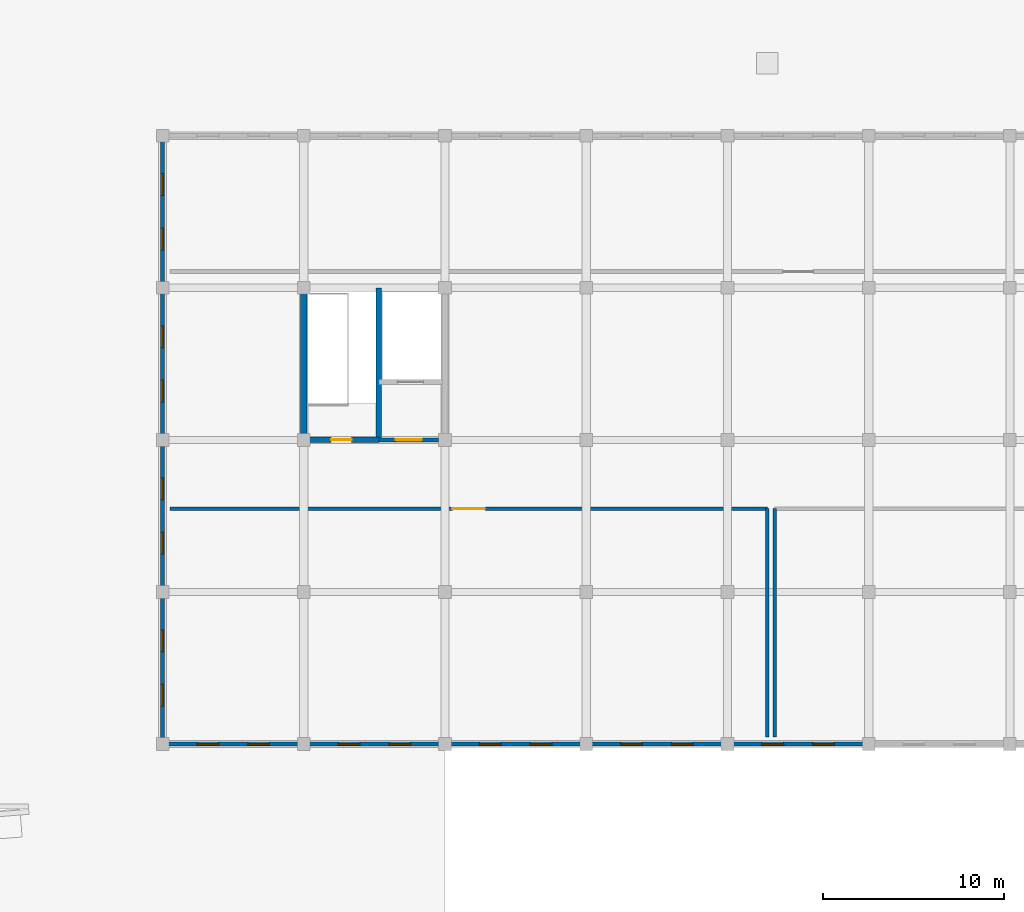
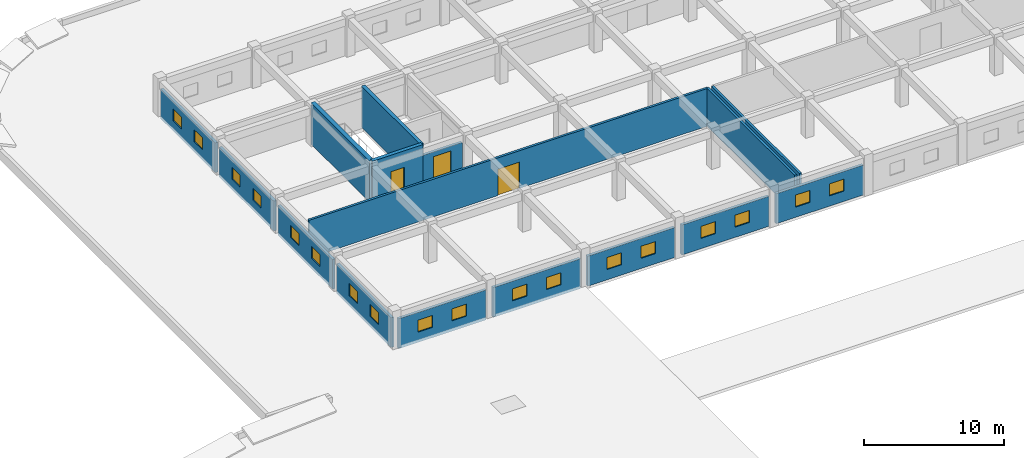
# One storey, part 92 of 101: 18 windows, 16 walls, 3 doors, 21 openings.
"""IFC4 building model written with IfcOpenShell, lengths in metres."""

import ifcopenshell
import ifcopenshell.guid

model = None  # the IFC model being written
_history = None  # IfcOwnerHistory: only IFC2X3 demands one
_inside = {}  # id of a spatial element -> (the spatial element, [elements in it])
_under = {}  # id of a project, library or spatial element -> (it, [spatial elements below it])
_declared = {}  # id of a project -> (the project, [libraries it declares])
_typed = {}  # id of a type object -> (the type object, [elements of that type])
_made_of = {}  # id of a material, layer set ... -> (it, [elements and type objects made of it])


def new_model(schema):
    """Start an empty IFC model of exactly this schema.

    Asked for "IFC4X3", IfcOpenShell would pick the latest addendum, in which some entities
    have other attributes; the version numbers below select the first issue.
    IFC2X3 requires an IfcOwnerHistory on every rooted entity: one is made here for all.
    """
    global model, _history
    if schema == "IFC4X3":
        model = ifcopenshell.file(schema_version=(4, 3, 0, 0))
    else:
        model = ifcopenshell.file(schema=schema)
    _inside.clear()
    _under.clear()
    _declared.clear()
    _typed.clear()
    _made_of.clear()
    _history = None
    if model.schema == "IFC2X3":
        org = make("IfcOrganization", Name="unknown")
        user = make(
            "IfcPersonAndOrganization",
            ThePerson=make("IfcPerson", FamilyName="unknown"),
            TheOrganization=org,
        )
        app = make(
            "IfcApplication",
            ApplicationDeveloper=org,
            Version="unknown",
            ApplicationFullName="unknown",
            ApplicationIdentifier="unknown",
        )
        _history = make(
            "IfcOwnerHistory",
            OwningUser=user,
            OwningApplication=app,
            ChangeAction="ADDED",
            CreationDate=0,
        )
    return model


def make(cls, **values):
    """One entity of the class cls with the attributes given. An attribute that is None is left unset."""
    return model.create_entity(
        cls, **{name: value for name, value in values.items() if value is not None}
    )


def rooted(cls, **values):
    """An entity with a GlobalId (a new one), such as an element, a storey or a relation."""
    return make(cls, GlobalId=ifcopenshell.guid.new(), OwnerHistory=_history, **values)


def si_unit(unit_type, name, prefix=None):
    """IfcSIUnit, for example si_unit("LENGTHUNIT", "METRE", prefix="MILLI")."""
    return make("IfcSIUnit", UnitType=unit_type, Prefix=prefix, Name=name)


def assignment(units):
    """IfcUnitAssignment: the units of a project."""
    return None if units is None else make("IfcUnitAssignment", Units=units)


def point(xyz):
    """IfcCartesianPoint."""
    return None if xyz is None else make("IfcCartesianPoint", Coordinates=xyz)


def direction(xyz):
    """IfcDirection."""
    return None if xyz is None else make("IfcDirection", DirectionRatios=xyz)


def frame(location, z_axis=None, x_axis=None):
    """IfcAxis2Placement3D, a coordinate frame: its origin and axes. An axis left out is left unset."""
    return make(
        "IfcAxis2Placement3D",
        Location=point(location),
        Axis=direction(z_axis),
        RefDirection=direction(x_axis),
    )


def frame_2d(location, x_axis=None):
    """IfcAxis2Placement2D, a coordinate frame in the plane: its origin and x axis."""
    return make(
        "IfcAxis2Placement2D", Location=point(location), RefDirection=direction(x_axis)
    )


def origin():
    """The frame at (0, 0, 0) with its axes left unset."""
    return frame((0.0, 0.0, 0.0))


def place(relative_to, where):
    """IfcLocalPlacement: puts the frame where relative to a parent placement (None: the world)."""
    return make(
        "IfcLocalPlacement", PlacementRelTo=relative_to, RelativePlacement=where
    )


def context(
    kind, dimensions, precision=None, world=None, true_north=None, identifier=None
):
    """IfcGeometricRepresentationContext, for example the 3D "Model" context."""
    return make(
        "IfcGeometricRepresentationContext",
        ContextIdentifier=identifier,
        ContextType=kind,
        CoordinateSpaceDimension=dimensions,
        Precision=precision,
        WorldCoordinateSystem=world,
        TrueNorth=true_north,
    )


def subcontext(parent, identifier, kind, view, scale=None):
    """IfcGeometricRepresentationSubContext, for example "Body" below "Model"."""
    return make(
        "IfcGeometricRepresentationSubContext",
        ContextIdentifier=identifier,
        ContextType=kind,
        ParentContext=parent,
        TargetScale=scale,
        TargetView=view,
    )


def project(units=None, contexts=None):
    """IfcProject with its units and contexts."""
    return rooted(
        "IfcProject",
        Name="project",
        RepresentationContexts=contexts,
        UnitsInContext=assignment(units),
    )


def spatial(cls, under=None, at=None, **own):
    """A site, building, storey or space (cls), placed at a placement, below another one or the project."""
    s = rooted(cls, ObjectPlacement=at, **own)
    if under is not None:
        _under.setdefault(under.id(), (under, []))[1].append(s)
    return s


def profile(cls, at=None, kind="AREA", **sizes):
    """A parametric profile (cls). Its sizes go by their IFC names, for example OverallWidth=200.0."""
    return make(cls, ProfileType=kind, Position=at, **sizes)


def rectangle(**sizes):
    """IfcRectangleProfileDef."""
    return profile("IfcRectangleProfileDef", **sizes)


def extrude(swept, where, along, depth):
    """IfcExtrudedAreaSolid: the profile swept, set in the frame where, extruded along a direction by depth."""
    return make(
        "IfcExtrudedAreaSolid",
        SweptArea=swept,
        Position=where,
        ExtrudedDirection=direction(along),
        Depth=depth,
    )


def shape(context_of_items, identifier, shape_type, items):
    """IfcShapeRepresentation: the items that make up one representation, for example the "Body"."""
    return make(
        "IfcShapeRepresentation",
        ContextOfItems=context_of_items,
        RepresentationIdentifier=identifier,
        RepresentationType=shape_type,
        Items=items,
    )


def material(Name=None, Category=None):
    """IfcMaterial."""
    return make("IfcMaterial", Name=Name, Category=Category)


def layer(
    of_material, thickness, ventilated=None, Name=None, Category=None, Priority=None
):
    """IfcMaterialLayer: one layer of a wall or slab, of a material (None: an air gap)."""
    return make(
        "IfcMaterialLayer",
        Material=of_material,
        LayerThickness=thickness,
        IsVentilated=ventilated,
        Name=Name,
        Category=Category,
        Priority=Priority,
    )


def layer_set(layers, Name=None):
    """IfcMaterialLayerSet."""
    return make("IfcMaterialLayerSet", MaterialLayers=layers, LayerSetName=Name)


def made_of(thing, what):
    """Note that an element or type object is made of a material, layer set ...; save() writes the relation."""
    if what is not None:
        _made_of.setdefault(what.id(), (what, []))[1].append(thing)
    return thing


def type_object(cls, material=None, **own):
    """A type object (cls), such as IfcWallType, which elements share."""
    return made_of(rooted(cls, **own), material)


def element(
    cls,
    number,
    at=None,
    inside=None,
    cuts=None,
    type_object=None,
    material=None,
    context=None,
    identifier="Body",
    shape_type=None,
    held_by="IfcProductDefinitionShape",
    body=None,
    shapes=None,
    **own,
):
    """One element of the class cls, such as IfcWall. Its Tag is "e" and its number.

    at: its placement. inside: the storey or other place that contains it. cuts: it is an
    opening in that element (IfcRelVoidsElement). A single representation is given by context,
    identifier, shape_type and body (its items); several are given by shapes. held_by: the class
    of the entity that holds the representations. save() writes the other relations.
    """
    e = rooted(cls, Tag="e%d" % number, ObjectPlacement=at, **own)
    if body is not None:
        shapes = [shape(context, identifier, shape_type, body)]
    if shapes is not None:
        e.Representation = make(held_by, Representations=shapes)
    if inside is not None:
        _inside.setdefault(inside.id(), (inside, []))[1].append(e)
    if cuts is not None:
        rooted(
            "IfcRelVoidsElement", RelatingBuildingElement=cuts, RelatedOpeningElement=e
        )
    if type_object is not None:
        _typed.setdefault(type_object.id(), (type_object, []))[1].append(e)
    return made_of(e, material)


def fill(opening, filler):
    """IfcRelFillsElement: the door or window that sits in an opening."""
    return rooted(
        "IfcRelFillsElement",
        RelatingOpeningElement=opening,
        RelatedBuildingElement=filler,
    )


def aggregate(whole, parts):
    """IfcRelAggregates: a whole, such as a stair, and the parts it consists of."""
    return rooted("IfcRelAggregates", RelatingObject=whole, RelatedObjects=parts)


def save(model, path):
    """Write the relations noted so far, then the file.

    IfcRelAggregates (storeys below a building ...), IfcRelContainedInSpatialStructure (elements
    in a storey), IfcRelDefinesByType, IfcRelAssociatesMaterial and IfcRelDeclares: one each for
    every whole, place, type object, material and project.
    """
    for whole, parts in _under.values():
        aggregate(whole, parts)
    for where, things in _inside.values():
        rooted(
            "IfcRelContainedInSpatialStructure",
            RelatedElements=things,
            RelatingStructure=where,
        )
    for kind, things in _typed.values():
        rooted("IfcRelDefinesByType", RelatedObjects=things, RelatingType=kind)
    for what, things in _made_of.values():
        rooted("IfcRelAssociatesMaterial", RelatedObjects=things, RelatingMaterial=what)
    for by, libraries in _declared.values():
        rooted("IfcRelDeclares", RelatingContext=by, RelatedDefinitions=libraries)
    model.write(path)


model = new_model("IFC4")

# Units and contexts
model_context = context("Model", 3, precision=1e-05, world=origin(), true_north=direction((0.0, 1.0)))
body_context = subcontext(model_context, "Body", "Model", "MODEL_VIEW")
ifc_project = project(units=[si_unit("LENGTHUNIT", "METRE"), si_unit("AREAUNIT", "SQUARE_METRE"), si_unit("VOLUMEUNIT", "CUBIC_METRE"), si_unit("PLANEANGLEUNIT", "RADIAN"), si_unit("MASSUNIT", "GRAM", prefix="KILO")], contexts=[model_context])

# Site, building, storey
site_placement = place(None, origin())
site = spatial("IfcSite", under=ifc_project, at=site_placement, CompositionType="ELEMENT")
building_placement = place(site_placement, origin())
building = spatial("IfcBuilding", under=site, at=building_placement, Name="Zizhar Promenade General Hospital", CompositionType="ELEMENT")
storey_placement = place(building_placement, frame((0.0, 0.0, 14.39990234375)))
storey = spatial("IfcBuildingStorey", under=building, at=storey_placement, Name="L03", CompositionType="ELEMENT", Elevation=14.39990234375)

# Wall, openings, windows
ifc_material_1 = material(Name="Precast concrete C40/50", Category="concrete")
ifc_layer_1 = layer(ifc_material_1, 0.22509765625)
ifc_layer_set_1 = layer_set([ifc_layer_1], Name="Precast concrete C40/50")
wall_type_1 = type_object("IfcWallType", Name="EW-INT-225", PredefinedType="STANDARD", material=ifc_layer_set_1)
wall_1_placement = place(storey_placement, frame((62.110107421875, 92.39990234375, 0.0), z_axis=(0.0, 0.0, 1.0), x_axis=(-1.0, 0.0, 0.0)))
wall_1 = element("IfcWall", 1, at=wall_1_placement, inside=storey, type_object=wall_type_1, Name="Surgical Interstitial South Wall 7", PredefinedType="STANDARD", context=body_context, shape_type="SweptSolid", body=[
    extrude(rectangle(XDim=7.22021484375, YDim=0.22509765625, at=frame_2d((3.610107421875, 0.0))), origin(), (0.0, 0.0, 1.0), 2.6201171875),
])
opening_1_placement = place(wall_1_placement, frame((1.606689453125, 0.0, 0.89990234375)))
opening_1 = element("IfcOpeningElement", 2, at=opening_1_placement, cuts=wall_1, Name="Opening W-15", PredefinedType="OPENING", context=body_context, shape_type="SweptSolid", body=[
    extrude(rectangle(XDim=1.199951171875, YDim=1.050048828125, at=frame_2d((0.60009765625, 0.52490234375))), frame((0.0, 0.12255859375, 0.0), z_axis=(0.0, -1.0, 0.0), x_axis=(1.0, 0.0, 0.0)), (0.0, 0.0, 1.0), 0.2451171875),
])
opening_2_placement = place(wall_1_placement, frame((4.413330078125, 0.0, 0.89990234375)))
opening_2 = element("IfcOpeningElement", 3, at=opening_2_placement, cuts=wall_1, Name="Opening W-15", PredefinedType="OPENING", context=body_context, shape_type="SweptSolid", body=[
    extrude(rectangle(XDim=1.199951171875, YDim=1.050048828125, at=frame_2d((0.60009765625, 0.52490234375))), frame((0.0, 0.12255859375, 0.0), z_axis=(0.0, -1.0, 0.0), x_axis=(1.0, 0.0, 0.0)), (0.0, 0.0, 1.0), 0.2451171875),
])
ifc_material_2 = material(Name="Anodised aluminium 6063-T6 and low-E glass", Category="aluminium")
window_type = type_object("IfcWindowType", Name="WIN-INT-120x105", PartitioningType="SINGLE_PANEL", PredefinedType="WINDOW", material=ifc_material_2)
window_1_placement = place(opening_1_placement, origin())
window_1 = element("IfcWindow", 4, at=window_1_placement, inside=storey, type_object=window_type, Name="Surgical Interstitial South Wall 7 Window 1", OverallHeight=1.050048828125, OverallWidth=1.199951171875, PartitioningType="SINGLE_PANEL", PredefinedType="WINDOW", context=body_context, shape_type="SweptSolid", body=[
    extrude(rectangle(XDim=1.199951171875, YDim=1.050048828125, at=frame_2d((0.60009765625, 0.52490234375))), frame((0.0, 0.030029296875, 0.0), z_axis=(0.0, -1.0, 0.0), x_axis=(1.0, 0.0, 0.0)), (0.0, 0.0, 1.0), 0.06005859375),
])
fill(opening_1, window_1)
window_2_placement = place(opening_2_placement, origin())
window_2 = element("IfcWindow", 5, at=window_2_placement, inside=storey, type_object=window_type, Name="Surgical Interstitial South Wall 7 Window 2", OverallHeight=1.050048828125, OverallWidth=1.199951171875, PartitioningType="SINGLE_PANEL", PredefinedType="WINDOW", context=body_context, shape_type="SweptSolid", body=[
    extrude(rectangle(XDim=1.199951171875, YDim=1.050048828125, at=frame_2d((0.60009765625, 0.52490234375))), frame((0.0, 0.030029296875, 0.0), z_axis=(0.0, -1.0, 0.0), x_axis=(1.0, 0.0, 0.0)), (0.0, 0.0, 1.0), 0.06005859375),
])
fill(opening_2, window_2)

wall_2_placement = place(storey_placement, frame((69.909912109375, 92.39990234375, 0.0), z_axis=(0.0, 0.0, 1.0), x_axis=(-1.0, 0.0, 0.0)))
wall_2 = element("IfcWall", 6, at=wall_2_placement, inside=storey, type_object=wall_type_1, Name="Surgical Interstitial South Wall 8", PredefinedType="STANDARD", context=body_context, shape_type="SweptSolid", body=[
    extrude(rectangle(XDim=7.219970703125, YDim=0.22509765625, at=frame_2d((3.60986328125, 0.0))), origin(), (0.0, 0.0, 1.0), 2.6201171875),
])
opening_3_placement = place(wall_2_placement, frame((1.606689453125, 0.0, 0.89990234375)))
opening_3 = element("IfcOpeningElement", 7, at=opening_3_placement, cuts=wall_2, Name="Opening W-15", PredefinedType="OPENING", context=body_context, shape_type="SweptSolid", body=[
    extrude(rectangle(XDim=1.199951171875, YDim=1.050048828125, at=frame_2d((0.60009765625, 0.52490234375))), frame((0.0, 0.12255859375, 0.0), z_axis=(0.0, -1.0, 0.0), x_axis=(1.0, 0.0, 0.0)), (0.0, 0.0, 1.0), 0.2451171875),
])
opening_4_placement = place(wall_2_placement, frame((4.413330078125, 0.0, 0.89990234375)))
opening_4 = element("IfcOpeningElement", 8, at=opening_4_placement, cuts=wall_2, Name="Opening W-15", PredefinedType="OPENING", context=body_context, shape_type="SweptSolid", body=[
    extrude(rectangle(XDim=1.199951171875, YDim=1.050048828125, at=frame_2d((0.60009765625, 0.52490234375))), frame((0.0, 0.12255859375, 0.0), z_axis=(0.0, -1.0, 0.0), x_axis=(1.0, 0.0, 0.0)), (0.0, 0.0, 1.0), 0.2451171875),
])
window_3_placement = place(opening_3_placement, origin())
window_3 = element("IfcWindow", 9, at=window_3_placement, inside=storey, type_object=window_type, Name="Surgical Interstitial South Wall 8 Window 1", OverallHeight=1.050048828125, OverallWidth=1.199951171875, PartitioningType="SINGLE_PANEL", PredefinedType="WINDOW", context=body_context, shape_type="SweptSolid", body=[
    extrude(rectangle(XDim=1.199951171875, YDim=1.050048828125, at=frame_2d((0.60009765625, 0.52490234375))), frame((0.0, 0.030029296875, 0.0), z_axis=(0.0, -1.0, 0.0), x_axis=(1.0, 0.0, 0.0)), (0.0, 0.0, 1.0), 0.06005859375),
])
fill(opening_3, window_3)
window_4_placement = place(opening_4_placement, origin())
window_4 = element("IfcWindow", 10, at=window_4_placement, inside=storey, type_object=window_type, Name="Surgical Interstitial South Wall 8 Window 2", OverallHeight=1.050048828125, OverallWidth=1.199951171875, PartitioningType="SINGLE_PANEL", PredefinedType="WINDOW", context=body_context, shape_type="SweptSolid", body=[
    extrude(rectangle(XDim=1.199951171875, YDim=1.050048828125, at=frame_2d((0.60009765625, 0.52490234375))), frame((0.0, 0.030029296875, 0.0), z_axis=(0.0, -1.0, 0.0), x_axis=(1.0, 0.0, 0.0)), (0.0, 0.0, 1.0), 0.06005859375),
])
fill(opening_4, window_4)

wall_3_placement = place(storey_placement, frame((77.7099609375, 92.39990234375, 0.0), z_axis=(0.0, 0.0, 1.0), x_axis=(-1.0, 0.0, 0.0)))
wall_3 = element("IfcWall", 11, at=wall_3_placement, inside=storey, type_object=wall_type_1, Name="Surgical Interstitial South Wall 9", PredefinedType="STANDARD", context=body_context, shape_type="SweptSolid", body=[
    extrude(rectangle(XDim=7.219970703125, YDim=0.22509765625, at=frame_2d((3.60986328125, 0.0))), origin(), (0.0, 0.0, 1.0), 2.6201171875),
])
opening_5_placement = place(wall_3_placement, frame((1.606689453125, 0.0, 0.89990234375)))
opening_5 = element("IfcOpeningElement", 12, at=opening_5_placement, cuts=wall_3, Name="Opening W-15", PredefinedType="OPENING", context=body_context, shape_type="SweptSolid", body=[
    extrude(rectangle(XDim=1.199951171875, YDim=1.050048828125, at=frame_2d((0.60009765625, 0.52490234375))), frame((0.0, 0.12255859375, 0.0), z_axis=(0.0, -1.0, 0.0), x_axis=(1.0, 0.0, 0.0)), (0.0, 0.0, 1.0), 0.2451171875),
])
opening_6_placement = place(wall_3_placement, frame((4.413330078125, 0.0, 0.89990234375)))
opening_6 = element("IfcOpeningElement", 13, at=opening_6_placement, cuts=wall_3, Name="Opening W-15", PredefinedType="OPENING", context=body_context, shape_type="SweptSolid", body=[
    extrude(rectangle(XDim=1.199951171875, YDim=1.050048828125, at=frame_2d((0.60009765625, 0.52490234375))), frame((0.0, 0.12255859375, 0.0), z_axis=(0.0, -1.0, 0.0), x_axis=(1.0, 0.0, 0.0)), (0.0, 0.0, 1.0), 0.2451171875),
])
window_5_placement = place(opening_5_placement, origin())
window_5 = element("IfcWindow", 14, at=window_5_placement, inside=storey, type_object=window_type, Name="Surgical Interstitial South Wall 9 Window 1", OverallHeight=1.050048828125, OverallWidth=1.199951171875, PartitioningType="SINGLE_PANEL", PredefinedType="WINDOW", context=body_context, shape_type="SweptSolid", body=[
    extrude(rectangle(XDim=1.199951171875, YDim=1.050048828125, at=frame_2d((0.60009765625, 0.52490234375))), frame((0.0, 0.030029296875, 0.0), z_axis=(0.0, -1.0, 0.0), x_axis=(1.0, 0.0, 0.0)), (0.0, 0.0, 1.0), 0.06005859375),
])
fill(opening_5, window_5)
window_6_placement = place(opening_6_placement, origin())
window_6 = element("IfcWindow", 15, at=window_6_placement, inside=storey, type_object=window_type, Name="Surgical Interstitial South Wall 9 Window 2", OverallHeight=1.050048828125, OverallWidth=1.199951171875, PartitioningType="SINGLE_PANEL", PredefinedType="WINDOW", context=body_context, shape_type="SweptSolid", body=[
    extrude(rectangle(XDim=1.199951171875, YDim=1.050048828125, at=frame_2d((0.60009765625, 0.52490234375))), frame((0.0, 0.030029296875, 0.0), z_axis=(0.0, -1.0, 0.0), x_axis=(1.0, 0.0, 0.0)), (0.0, 0.0, 1.0), 0.06005859375),
])
fill(opening_6, window_6)

wall_4_placement = place(storey_placement, frame((85.510009765625, 92.39990234375, 0.0), z_axis=(0.0, 0.0, 1.0), x_axis=(-1.0, 0.0, 0.0)))
wall_4 = element("IfcWall", 16, at=wall_4_placement, inside=storey, type_object=wall_type_1, Name="Surgical Interstitial South Wall 10", PredefinedType="STANDARD", context=body_context, shape_type="SweptSolid", body=[
    extrude(rectangle(XDim=7.219970703125, YDim=0.22509765625, at=frame_2d((3.60986328125, 0.0))), origin(), (0.0, 0.0, 1.0), 2.6201171875),
])
opening_7_placement = place(wall_4_placement, frame((1.606689453125, 0.0, 0.89990234375)))
opening_7 = element("IfcOpeningElement", 17, at=opening_7_placement, cuts=wall_4, Name="Opening W-15", PredefinedType="OPENING", context=body_context, shape_type="SweptSolid", body=[
    extrude(rectangle(XDim=1.199951171875, YDim=1.050048828125, at=frame_2d((0.60009765625, 0.52490234375))), frame((0.0, 0.12255859375, 0.0), z_axis=(0.0, -1.0, 0.0), x_axis=(1.0, 0.0, 0.0)), (0.0, 0.0, 1.0), 0.2451171875),
])
opening_8_placement = place(wall_4_placement, frame((4.413330078125, 0.0, 0.89990234375)))
opening_8 = element("IfcOpeningElement", 18, at=opening_8_placement, cuts=wall_4, Name="Opening W-15", PredefinedType="OPENING", context=body_context, shape_type="SweptSolid", body=[
    extrude(rectangle(XDim=1.199951171875, YDim=1.050048828125, at=frame_2d((0.60009765625, 0.52490234375))), frame((0.0, 0.12255859375, 0.0), z_axis=(0.0, -1.0, 0.0), x_axis=(1.0, 0.0, 0.0)), (0.0, 0.0, 1.0), 0.2451171875),
])
window_7_placement = place(opening_7_placement, origin())
window_7 = element("IfcWindow", 19, at=window_7_placement, inside=storey, type_object=window_type, Name="Surgical Interstitial South Wall 10 Window 1", OverallHeight=1.050048828125, OverallWidth=1.199951171875, PartitioningType="SINGLE_PANEL", PredefinedType="WINDOW", context=body_context, shape_type="SweptSolid", body=[
    extrude(rectangle(XDim=1.199951171875, YDim=1.050048828125, at=frame_2d((0.60009765625, 0.52490234375))), frame((0.0, 0.030029296875, 0.0), z_axis=(0.0, -1.0, 0.0), x_axis=(1.0, 0.0, 0.0)), (0.0, 0.0, 1.0), 0.06005859375),
])
fill(opening_7, window_7)
window_8_placement = place(opening_8_placement, origin())
window_8 = element("IfcWindow", 20, at=window_8_placement, inside=storey, type_object=window_type, Name="Surgical Interstitial South Wall 10 Window 2", OverallHeight=1.050048828125, OverallWidth=1.199951171875, PartitioningType="SINGLE_PANEL", PredefinedType="WINDOW", context=body_context, shape_type="SweptSolid", body=[
    extrude(rectangle(XDim=1.199951171875, YDim=1.050048828125, at=frame_2d((0.60009765625, 0.52490234375))), frame((0.0, 0.030029296875, 0.0), z_axis=(0.0, -1.0, 0.0), x_axis=(1.0, 0.0, 0.0)), (0.0, 0.0, 1.0), 0.06005859375),
])
fill(opening_8, window_8)

wall_5_placement = place(storey_placement, frame((93.31005859375, 92.39990234375, 0.0), z_axis=(0.0, 0.0, 1.0), x_axis=(-1.0, 0.0, 0.0)))
wall_5 = element("IfcWall", 21, at=wall_5_placement, inside=storey, type_object=wall_type_1, Name="Surgical Interstitial South Wall 11", PredefinedType="STANDARD", context=body_context, shape_type="SweptSolid", body=[
    extrude(rectangle(XDim=7.219970703125, YDim=0.22509765625, at=frame_2d((3.60986328125, 0.0))), origin(), (0.0, 0.0, 1.0), 2.6201171875),
])
opening_9_placement = place(wall_5_placement, frame((1.606689453125, 0.0, 0.89990234375)))
opening_9 = element("IfcOpeningElement", 22, at=opening_9_placement, cuts=wall_5, Name="Opening W-15", PredefinedType="OPENING", context=body_context, shape_type="SweptSolid", body=[
    extrude(rectangle(XDim=1.199951171875, YDim=1.050048828125, at=frame_2d((0.60009765625, 0.52490234375))), frame((0.0, 0.12255859375, 0.0), z_axis=(0.0, -1.0, 0.0), x_axis=(1.0, 0.0, 0.0)), (0.0, 0.0, 1.0), 0.2451171875),
])
opening_10_placement = place(wall_5_placement, frame((4.413330078125, 0.0, 0.89990234375)))
opening_10 = element("IfcOpeningElement", 23, at=opening_10_placement, cuts=wall_5, Name="Opening W-15", PredefinedType="OPENING", context=body_context, shape_type="SweptSolid", body=[
    extrude(rectangle(XDim=1.199951171875, YDim=1.050048828125, at=frame_2d((0.60009765625, 0.52490234375))), frame((0.0, 0.12255859375, 0.0), z_axis=(0.0, -1.0, 0.0), x_axis=(1.0, 0.0, 0.0)), (0.0, 0.0, 1.0), 0.2451171875),
])
window_9_placement = place(opening_9_placement, origin())
window_9 = element("IfcWindow", 24, at=window_9_placement, inside=storey, type_object=window_type, Name="Surgical Interstitial South Wall 11 Window 1", OverallHeight=1.050048828125, OverallWidth=1.199951171875, PartitioningType="SINGLE_PANEL", PredefinedType="WINDOW", context=body_context, shape_type="SweptSolid", body=[
    extrude(rectangle(XDim=1.199951171875, YDim=1.050048828125, at=frame_2d((0.60009765625, 0.52490234375))), frame((0.0, 0.030029296875, 0.0), z_axis=(0.0, -1.0, 0.0), x_axis=(1.0, 0.0, 0.0)), (0.0, 0.0, 1.0), 0.06005859375),
])
fill(opening_9, window_9)
window_10_placement = place(opening_10_placement, origin())
window_10 = element("IfcWindow", 25, at=window_10_placement, inside=storey, type_object=window_type, Name="Surgical Interstitial South Wall 11 Window 2", OverallHeight=1.050048828125, OverallWidth=1.199951171875, PartitioningType="SINGLE_PANEL", PredefinedType="WINDOW", context=body_context, shape_type="SweptSolid", body=[
    extrude(rectangle(XDim=1.199951171875, YDim=1.050048828125, at=frame_2d((0.60009765625, 0.52490234375))), frame((0.0, 0.030029296875, 0.0), z_axis=(0.0, -1.0, 0.0), x_axis=(1.0, 0.0, 0.0)), (0.0, 0.0, 1.0), 0.06005859375),
])
fill(opening_10, window_10)

wall_6_placement = place(storey_placement, frame((54.60009765625, 92.68994140625, 0.0), z_axis=(0.0, 0.0, 1.0), x_axis=(0.0, 1.0, 0.0)))
wall_6 = element("IfcWall", 26, at=wall_6_placement, inside=storey, type_object=wall_type_1, Name="Surgical Interstitial West Wall 11", PredefinedType="STANDARD", context=body_context, shape_type="SweptSolid", body=[
    extrude(rectangle(XDim=7.820068359375, YDim=0.22509765625, at=frame_2d((3.91015625, 0.0))), origin(), (0.0, 0.0, 1.0), 2.60498046875),
])
opening_11_placement = place(wall_6_placement, frame((1.806640625, 0.0, 0.89990234375)))
opening_11 = element("IfcOpeningElement", 27, at=opening_11_placement, cuts=wall_6, Name="Opening W-15", PredefinedType="OPENING", context=body_context, shape_type="SweptSolid", body=[
    extrude(rectangle(XDim=1.199951171875, YDim=1.050048828125, at=frame_2d((0.60009765625, 0.52490234375))), frame((0.0, 0.12255859375, 0.0), z_axis=(0.0, -1.0, 0.0), x_axis=(1.0, 0.0, 0.0)), (0.0, 0.0, 1.0), 0.2451171875),
])
opening_12_placement = place(wall_6_placement, frame((4.813232421875, 0.0, 0.89990234375)))
opening_12 = element("IfcOpeningElement", 28, at=opening_12_placement, cuts=wall_6, Name="Opening W-15", PredefinedType="OPENING", context=body_context, shape_type="SweptSolid", body=[
    extrude(rectangle(XDim=1.199951171875, YDim=1.050048828125, at=frame_2d((0.60009765625, 0.52490234375))), frame((0.0, 0.12255859375, 0.0), z_axis=(0.0, -1.0, 0.0), x_axis=(1.0, 0.0, 0.0)), (0.0, 0.0, 1.0), 0.2451171875),
])
window_11_placement = place(opening_11_placement, origin())
window_11 = element("IfcWindow", 29, at=window_11_placement, inside=storey, type_object=window_type, Name="Surgical Interstitial West Wall 11 Window 1", OverallHeight=1.050048828125, OverallWidth=1.199951171875, PartitioningType="SINGLE_PANEL", PredefinedType="WINDOW", context=body_context, shape_type="SweptSolid", body=[
    extrude(rectangle(XDim=1.199951171875, YDim=1.050048828125, at=frame_2d((0.60009765625, 0.52490234375))), frame((0.0, 0.030029296875, 0.0), z_axis=(0.0, -1.0, 0.0), x_axis=(1.0, 0.0, 0.0)), (0.0, 0.0, 1.0), 0.06005859375),
])
fill(opening_11, window_11)
window_12_placement = place(opening_12_placement, origin())
window_12 = element("IfcWindow", 30, at=window_12_placement, inside=storey, type_object=window_type, Name="Surgical Interstitial West Wall 11 Window 2", OverallHeight=1.050048828125, OverallWidth=1.199951171875, PartitioningType="SINGLE_PANEL", PredefinedType="WINDOW", context=body_context, shape_type="SweptSolid", body=[
    extrude(rectangle(XDim=1.199951171875, YDim=1.050048828125, at=frame_2d((0.60009765625, 0.52490234375))), frame((0.0, 0.030029296875, 0.0), z_axis=(0.0, -1.0, 0.0), x_axis=(1.0, 0.0, 0.0)), (0.0, 0.0, 1.0), 0.06005859375),
])
fill(opening_12, window_12)

wall_7_placement = place(storey_placement, frame((54.60009765625, 101.090087890625, 0.0), z_axis=(0.0, 0.0, 1.0), x_axis=(0.0, 1.0, 0.0)))
wall_7 = element("IfcWall", 31, at=wall_7_placement, inside=storey, type_object=wall_type_1, Name="Surgical Interstitial West Wall 12", PredefinedType="STANDARD", context=body_context, shape_type="SweptSolid", body=[
    extrude(rectangle(XDim=7.81982421875, YDim=0.22509765625, at=frame_2d((3.909912109375, 0.0))), origin(), (0.0, 0.0, 1.0), 2.60498046875),
])
opening_13_placement = place(wall_7_placement, frame((1.806640625, 0.0, 0.89990234375)))
opening_13 = element("IfcOpeningElement", 32, at=opening_13_placement, cuts=wall_7, Name="Opening W-15", PredefinedType="OPENING", context=body_context, shape_type="SweptSolid", body=[
    extrude(rectangle(XDim=1.199951171875, YDim=1.050048828125, at=frame_2d((0.60009765625, 0.52490234375))), frame((0.0, 0.12255859375, 0.0), z_axis=(0.0, -1.0, 0.0), x_axis=(1.0, 0.0, 0.0)), (0.0, 0.0, 1.0), 0.2451171875),
])
opening_14_placement = place(wall_7_placement, frame((4.813232421875, 0.0, 0.89990234375)))
opening_14 = element("IfcOpeningElement", 33, at=opening_14_placement, cuts=wall_7, Name="Opening W-15", PredefinedType="OPENING", context=body_context, shape_type="SweptSolid", body=[
    extrude(rectangle(XDim=1.199951171875, YDim=1.050048828125, at=frame_2d((0.60009765625, 0.52490234375))), frame((0.0, 0.12255859375, 0.0), z_axis=(0.0, -1.0, 0.0), x_axis=(1.0, 0.0, 0.0)), (0.0, 0.0, 1.0), 0.2451171875),
])
window_13_placement = place(opening_13_placement, origin())
window_13 = element("IfcWindow", 34, at=window_13_placement, inside=storey, type_object=window_type, Name="Surgical Interstitial West Wall 12 Window 1", OverallHeight=1.050048828125, OverallWidth=1.199951171875, PartitioningType="SINGLE_PANEL", PredefinedType="WINDOW", context=body_context, shape_type="SweptSolid", body=[
    extrude(rectangle(XDim=1.199951171875, YDim=1.050048828125, at=frame_2d((0.60009765625, 0.52490234375))), frame((0.0, 0.030029296875, 0.0), z_axis=(0.0, -1.0, 0.0), x_axis=(1.0, 0.0, 0.0)), (0.0, 0.0, 1.0), 0.06005859375),
])
fill(opening_13, window_13)
window_14_placement = place(opening_14_placement, origin())
window_14 = element("IfcWindow", 35, at=window_14_placement, inside=storey, type_object=window_type, Name="Surgical Interstitial West Wall 12 Window 2", OverallHeight=1.050048828125, OverallWidth=1.199951171875, PartitioningType="SINGLE_PANEL", PredefinedType="WINDOW", context=body_context, shape_type="SweptSolid", body=[
    extrude(rectangle(XDim=1.199951171875, YDim=1.050048828125, at=frame_2d((0.60009765625, 0.52490234375))), frame((0.0, 0.030029296875, 0.0), z_axis=(0.0, -1.0, 0.0), x_axis=(1.0, 0.0, 0.0)), (0.0, 0.0, 1.0), 0.06005859375),
])
fill(opening_14, window_14)

wall_8_placement = place(storey_placement, frame((54.60009765625, 109.489990234375, 0.0), z_axis=(0.0, 0.0, 1.0), x_axis=(0.0, 1.0, 0.0)))
wall_8 = element("IfcWall", 36, at=wall_8_placement, inside=storey, type_object=wall_type_1, Name="Surgical Interstitial West Wall 13", PredefinedType="STANDARD", context=body_context, shape_type="SweptSolid", body=[
    extrude(rectangle(XDim=7.820068359375, YDim=0.22509765625, at=frame_2d((3.91015625, 0.0))), origin(), (0.0, 0.0, 1.0), 2.60498046875),
])
opening_15_placement = place(wall_8_placement, frame((1.806640625, 0.0, 0.89990234375)))
opening_15 = element("IfcOpeningElement", 37, at=opening_15_placement, cuts=wall_8, Name="Opening W-15", PredefinedType="OPENING", context=body_context, shape_type="SweptSolid", body=[
    extrude(rectangle(XDim=1.199951171875, YDim=1.050048828125, at=frame_2d((0.60009765625, 0.52490234375))), frame((0.0, 0.12255859375, 0.0), z_axis=(0.0, -1.0, 0.0), x_axis=(1.0, 0.0, 0.0)), (0.0, 0.0, 1.0), 0.2451171875),
])
opening_16_placement = place(wall_8_placement, frame((4.813232421875, 0.0, 0.89990234375)))
opening_16 = element("IfcOpeningElement", 38, at=opening_16_placement, cuts=wall_8, Name="Opening W-15", PredefinedType="OPENING", context=body_context, shape_type="SweptSolid", body=[
    extrude(rectangle(XDim=1.199951171875, YDim=1.050048828125, at=frame_2d((0.60009765625, 0.52490234375))), frame((0.0, 0.12255859375, 0.0), z_axis=(0.0, -1.0, 0.0), x_axis=(1.0, 0.0, 0.0)), (0.0, 0.0, 1.0), 0.2451171875),
])
window_15_placement = place(opening_15_placement, origin())
window_15 = element("IfcWindow", 39, at=window_15_placement, inside=storey, type_object=window_type, Name="Surgical Interstitial West Wall 13 Window 1", OverallHeight=1.050048828125, OverallWidth=1.199951171875, PartitioningType="SINGLE_PANEL", PredefinedType="WINDOW", context=body_context, shape_type="SweptSolid", body=[
    extrude(rectangle(XDim=1.199951171875, YDim=1.050048828125, at=frame_2d((0.60009765625, 0.52490234375))), frame((0.0, 0.030029296875, 0.0), z_axis=(0.0, -1.0, 0.0), x_axis=(1.0, 0.0, 0.0)), (0.0, 0.0, 1.0), 0.06005859375),
])
fill(opening_15, window_15)
window_16_placement = place(opening_16_placement, origin())
window_16 = element("IfcWindow", 40, at=window_16_placement, inside=storey, type_object=window_type, Name="Surgical Interstitial West Wall 13 Window 2", OverallHeight=1.050048828125, OverallWidth=1.199951171875, PartitioningType="SINGLE_PANEL", PredefinedType="WINDOW", context=body_context, shape_type="SweptSolid", body=[
    extrude(rectangle(XDim=1.199951171875, YDim=1.050048828125, at=frame_2d((0.60009765625, 0.52490234375))), frame((0.0, 0.030029296875, 0.0), z_axis=(0.0, -1.0, 0.0), x_axis=(1.0, 0.0, 0.0)), (0.0, 0.0, 1.0), 0.06005859375),
])
fill(opening_16, window_16)

wall_9_placement = place(storey_placement, frame((54.60009765625, 117.889892578125, 0.0), z_axis=(0.0, 0.0, 1.0), x_axis=(0.0, 1.0, 0.0)))
wall_9 = element("IfcWall", 41, at=wall_9_placement, inside=storey, type_object=wall_type_1, Name="Surgical Interstitial West Wall 14", PredefinedType="STANDARD", context=body_context, shape_type="SweptSolid", body=[
    extrude(rectangle(XDim=7.820068359375, YDim=0.22509765625, at=frame_2d((3.91015625, 0.0))), origin(), (0.0, 0.0, 1.0), 2.60498046875),
])
opening_17_placement = place(wall_9_placement, frame((1.806640625, 0.0, 0.89990234375)))
opening_17 = element("IfcOpeningElement", 42, at=opening_17_placement, cuts=wall_9, Name="Opening W-15", PredefinedType="OPENING", context=body_context, shape_type="SweptSolid", body=[
    extrude(rectangle(XDim=1.199951171875, YDim=1.050048828125, at=frame_2d((0.60009765625, 0.52490234375))), frame((0.0, 0.12255859375, 0.0), z_axis=(0.0, -1.0, 0.0), x_axis=(1.0, 0.0, 0.0)), (0.0, 0.0, 1.0), 0.2451171875),
])
opening_18_placement = place(wall_9_placement, frame((4.813232421875, 0.0, 0.89990234375)))
opening_18 = element("IfcOpeningElement", 43, at=opening_18_placement, cuts=wall_9, Name="Opening W-15", PredefinedType="OPENING", context=body_context, shape_type="SweptSolid", body=[
    extrude(rectangle(XDim=1.199951171875, YDim=1.050048828125, at=frame_2d((0.60009765625, 0.52490234375))), frame((0.0, 0.12255859375, 0.0), z_axis=(0.0, -1.0, 0.0), x_axis=(1.0, 0.0, 0.0)), (0.0, 0.0, 1.0), 0.2451171875),
])
window_17_placement = place(opening_17_placement, origin())
window_17 = element("IfcWindow", 44, at=window_17_placement, inside=storey, type_object=window_type, Name="Surgical Interstitial West Wall 14 Window 1", OverallHeight=1.050048828125, OverallWidth=1.199951171875, PartitioningType="SINGLE_PANEL", PredefinedType="WINDOW", context=body_context, shape_type="SweptSolid", body=[
    extrude(rectangle(XDim=1.199951171875, YDim=1.050048828125, at=frame_2d((0.60009765625, 0.52490234375))), frame((0.0, 0.030029296875, 0.0), z_axis=(0.0, -1.0, 0.0), x_axis=(1.0, 0.0, 0.0)), (0.0, 0.0, 1.0), 0.06005859375),
])
fill(opening_17, window_17)
window_18_placement = place(opening_18_placement, origin())
window_18 = element("IfcWindow", 45, at=window_18_placement, inside=storey, type_object=window_type, Name="Surgical Interstitial West Wall 14 Window 2", OverallHeight=1.050048828125, OverallWidth=1.199951171875, PartitioningType="SINGLE_PANEL", PredefinedType="WINDOW", context=body_context, shape_type="SweptSolid", body=[
    extrude(rectangle(XDim=1.199951171875, YDim=1.050048828125, at=frame_2d((0.60009765625, 0.52490234375))), frame((0.0, 0.030029296875, 0.0), z_axis=(0.0, -1.0, 0.0), x_axis=(1.0, 0.0, 0.0)), (0.0, 0.0, 1.0), 0.06005859375),
])
fill(opening_18, window_18)

# Wall, opening, door
ifc_material_3 = material(Name="Concrete C35/45", Category="concrete")
ifc_layer_2 = layer(ifc_material_3, 0.215087890625)
ifc_layer_set_2 = layer_set([ifc_layer_2], Name="Concrete C35/45")
wall_type_2 = type_object("IfcWallType", Name="IW-LOBBY-215", PredefinedType="STANDARD", material=ifc_layer_set_2)
wall_10_placement = place(storey_placement, frame((66.550048828125, 109.199951171875, 0.0), z_axis=(0.0, 0.0, 1.0), x_axis=(1.0, 0.0, 0.0)))
wall_10 = element("IfcWall", 46, at=wall_10_placement, inside=storey, type_object=wall_type_2, Name="Core C6 Lift Lobby South Fire Wall (L03)", PredefinedType="STANDARD", context=body_context, shape_type="SweptSolid", body=[
    extrude(rectangle(XDim=3.2900390625, YDim=0.215087890625, at=frame_2d((1.64501953125, 0.0))), origin(), (0.0, 0.0, 1.0), 2.6201171875),
])
opening_19_placement = place(wall_10_placement, frame((0.925048828125, 0.0, 0.0)))
opening_19 = element("IfcOpeningElement", 47, at=opening_19_placement, cuts=wall_10, Name="Opening D-23", PredefinedType="OPENING", context=body_context, shape_type="SweptSolid", body=[
    extrude(rectangle(XDim=1.43994140625, YDim=2.199951171875, at=frame_2d((0.719970703125, 1.10009765625))), frame((0.0, 0.11767578125, 0.0), z_axis=(0.0, -1.0, 0.0), x_axis=(1.0, 0.0, 0.0)), (0.0, 0.0, 1.0), 0.235107421875),
])
ifc_material_4 = material(Name="Fire-rated timber lift lobby pair", Category="wood")
door_type_1 = type_object("IfcDoorType", Name="DR-LOBBY-PR-144x220", OperationType="DOUBLE_DOOR_SINGLE_SWING", PredefinedType="DOOR", material=ifc_material_4)
door_1_placement = place(opening_19_placement, origin())
door_1 = element("IfcDoor", 48, at=door_1_placement, inside=storey, type_object=door_type_1, Name="Core C6 Protected Lift Lobby Door (L03)", OperationType="DOUBLE_DOOR_SINGLE_SWING", OverallHeight=2.199951171875, OverallWidth=1.43994140625, PredefinedType="DOOR", context=body_context, shape_type="SweptSolid", body=[
    extrude(rectangle(XDim=1.43994140625, YDim=2.199951171875, at=frame_2d((0.719970703125, 1.10009765625))), frame((0.0, 0.02490234375, 0.0), z_axis=(0.0, -1.0, 0.0), x_axis=(1.0, 0.0, 0.0)), (0.0, 0.0, 1.0), 0.050048828125),
])
fill(opening_19, door_1)

ifc_material_5 = material(Name="Hygienic cleanroom aluminium-faced gypsum partition", Category="aluminium")
ifc_layer_3 = layer(ifc_material_5, 0.18994140625)
ifc_layer_set_3 = layer_set([ifc_layer_3], Name="Hygienic cleanroom aluminium-faced gypsum partition")
wall_type_3 = type_object("IfcWallType", Name="IW-OR-190", PredefinedType="PARTITIONING", material=ifc_layer_set_3)
wall_11_placement = place(storey_placement, frame((55.0, 105.39990234375, 0.0), z_axis=(0.0, 0.0, 1.0), x_axis=(1.0, 0.0, 0.0)))
wall_11 = element("IfcWall", 49, at=wall_11_placement, inside=storey, type_object=wall_type_3, Name="Operating Theatre HEPA Laminar Air Plant West N Partition", PredefinedType="PARTITIONING", context=body_context, shape_type="SweptSolid", body=[
    extrude(rectangle(XDim=33.0, YDim=0.18994140625, at=frame_2d((16.5, 0.0))), origin(), (0.0, 0.0, 1.0), 3.300048828125),
])
opening_20_placement = place(wall_11_placement, frame((15.60009765625, 0.0, 0.0)))
opening_20 = element("IfcOpeningElement", 50, at=opening_20_placement, cuts=wall_11, Name="Opening D-03", PredefinedType="OPENING", context=body_context, shape_type="SweptSolid", body=[
    extrude(rectangle(XDim=1.800048828125, YDim=2.300048828125, at=frame_2d((0.89990234375, 1.14990234375))), frame((0.0, 0.10498046875, 0.0), z_axis=(0.0, -1.0, 0.0), x_axis=(1.0, 0.0, 0.0)), (0.0, 0.0, 1.0), 0.2099609375),
])
ifc_material_6 = material(Name="Anodised aluminium cleanroom hermetic leaf", Category="aluminium")
door_type_2 = type_object("IfcDoorType", Name="DR-OR-SLIDE-180x230", OperationType="SLIDING_TO_LEFT", PredefinedType="DOOR", material=ifc_material_6)
door_2_placement = place(opening_20_placement, origin())
door_2 = element("IfcDoor", 51, at=door_2_placement, inside=storey, type_object=door_type_2, Name="Operating Theatre HEPA Laminar Air Plant West Door", OperationType="SLIDING_TO_LEFT", OverallHeight=2.300048828125, OverallWidth=1.800048828125, PredefinedType="DOOR", context=body_context, shape_type="SweptSolid", body=[
    extrude(rectangle(XDim=1.800048828125, YDim=2.300048828125, at=frame_2d((0.89990234375, 1.14990234375))), frame((0.0, 0.02490234375, 0.0), z_axis=(0.0, -1.0, 0.0), x_axis=(1.0, 0.0, 0.0)), (0.0, 0.0, 1.0), 0.050048828125),
])
fill(opening_20, door_2)

# Walls
for number, where, z_axis, x_axis, name in (
    (52, (88.0, 92.800048828125, 0.0), (0.0, 0.0, 1.0), (0.0, 1.0, 0.0), "Operating Theatre HEPA Laminar Air Plant West E Partition"),
    (53, (88.39990234375, 92.800048828125, 0.0), (0.0, 0.0, 1.0), (0.0, 1.0, 0.0), "Operating Theatre HEPA Laminar Air Plant East W Partition"),
):
    element("IfcWall", number, at=place(storey_placement, frame(where, z_axis=z_axis, x_axis=x_axis)), inside=storey, type_object=wall_type_3, Name=name, PredefinedType="PARTITIONING", context=body_context, shape_type="SweptSolid", body=[
        extrude(rectangle(XDim=12.599853515625, YDim=0.18994140625, at=frame_2d((6.2998046875, 0.0))), origin(), (0.0, 0.0, 1.0), 3.300048828125),
    ])

# Wall, opening, door
ifc_material_7 = material(Name="Concrete C40/50", Category="concrete")
ifc_layer_4 = layer(ifc_material_7, 0.300048828125)
ifc_layer_set_4 = layer_set([ifc_layer_4], Name="Concrete C40/50")
wall_type_4 = type_object("IfcWallType", Name="WL-CORE-300", PredefinedType="SHEAR", material=ifc_layer_set_4)
wall_12_placement = place(storey_placement, frame((62.39990234375, 109.199951171875, 0.0), z_axis=(0.0, 0.0, 1.0), x_axis=(1.0, 0.0, 0.0)))
wall_12 = element("IfcWall", 54, at=wall_12_placement, inside=storey, type_object=wall_type_4, Name="Core C6 Stair South Fire Wall (L03)", PredefinedType="SHEAR", context=body_context, shape_type="SweptSolid", body=[
    extrude(rectangle(XDim=4.150146484375, YDim=0.300048828125, at=frame_2d((2.0751953125, 0.0))), origin(), (0.0, 0.0, 1.0), 3.60009765625),
])
opening_21_placement = place(wall_12_placement, frame((1.514892578125, 0.0, 0.0)))
opening_21 = element("IfcOpeningElement", 55, at=opening_21_placement, cuts=wall_12, Name="Opening D-21", PredefinedType="OPENING", context=body_context, shape_type="SweptSolid", body=[
    extrude(rectangle(XDim=1.1201171875, YDim=2.14990234375, at=frame_2d((0.56005859375, 1.074951171875))), frame((0.0, 0.16015625, 0.0), z_axis=(0.0, -1.0, 0.0), x_axis=(1.0, 0.0, 0.0)), (0.0, 0.0, 1.0), 0.320068359375),
])
ifc_material_8 = material(Name="Steel S355 protected stair door", Category="steel")
door_type_3 = type_object("IfcDoorType", Name="DR-STAIR-112x215", OperationType="NOTDEFINED", PredefinedType="DOOR", material=ifc_material_8)
door_3_placement = place(opening_21_placement, origin())
door_3 = element("IfcDoor", 56, at=door_3_placement, inside=storey, type_object=door_type_3, Name="Exit Stair ST-06 Door (L03)", OperationType="SINGLE_SWING_LEFT", OverallHeight=2.14990234375, OverallWidth=1.1201171875, PredefinedType="DOOR", context=body_context, shape_type="SweptSolid", body=[
    extrude(rectangle(XDim=1.1201171875, YDim=2.14990234375, at=frame_2d((0.56005859375, 1.074951171875))), frame((0.0, 0.02490234375, 0.0), z_axis=(0.0, -1.0, 0.0), x_axis=(1.0, 0.0, 0.0)), (0.0, 0.0, 1.0), 0.050048828125),
])
fill(opening_21, door_3)

# Walls
wall_13_placement = place(storey_placement, frame((66.550048828125, 109.199951171875, 0.0), z_axis=(0.0, 0.0, 1.0), x_axis=(0.0, 1.0, 0.0)))
element("IfcWall", 57, at=wall_13_placement, inside=storey, type_object=wall_type_4, Name="Core C6 Stair-Shaft Separation Wall (L03)", PredefinedType="SHEAR", context=body_context, shape_type="SweptSolid", body=[
    extrude(rectangle(XDim=8.400146484375, YDim=0.300048828125, at=frame_2d((4.2001953125, 0.0))), origin(), (0.0, 0.0, 1.0), 3.60009765625),
])
ifc_material_9 = material(Name="Concrete C40/50", Category="concrete")
ifc_layer_5 = layer(ifc_material_9, 0.35009765625)
ifc_layer_set_5 = layer_set([ifc_layer_5], Name="Concrete C40/50")
wall_type_5 = type_object("IfcWallType", Name="WL-CORE-350", PredefinedType="SHEAR", material=ifc_layer_set_5)
wall_14_placement = place(storey_placement, frame((62.39990234375, 109.199951171875, 0.0), z_axis=(0.0, 0.0, 1.0), x_axis=(0.0, 1.0, 0.0)))
element("IfcWall", 58, at=wall_14_placement, inside=storey, type_object=wall_type_5, Name="Core C6 West Shear Wall L03", PredefinedType="SHEAR", context=body_context, shape_type="SweptSolid", body=[
    extrude(rectangle(XDim=8.400146484375, YDim=0.35009765625, at=frame_2d((4.2001953125, 0.0))), origin(), (0.0, 0.0, 1.0), 3.60009765625),
])

save(model, "model.ifc")
